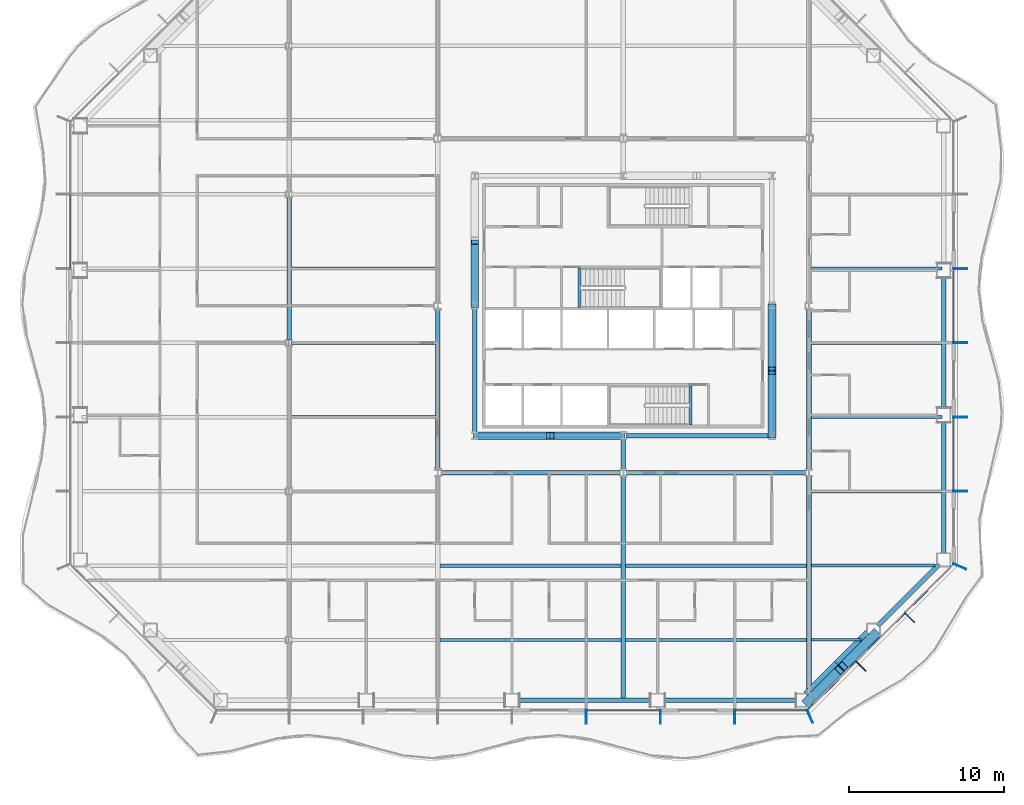
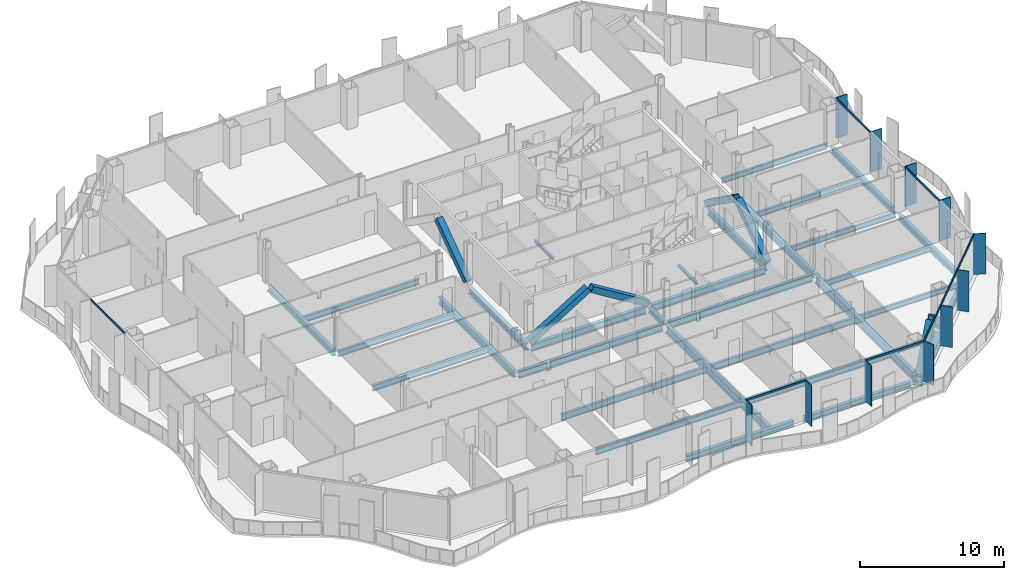
# One storey, part 2 of 20: 34 beams, 26 members, 4 elements without a shape of their own.
"""IFC4 building model written with IfcOpenShell, lengths in metres."""

import ifcopenshell
import ifcopenshell.guid

model = None  # the IFC model being written
_history = None  # IfcOwnerHistory: only IFC2X3 demands one
_inside = {}  # id of a spatial element -> (the spatial element, [elements in it])
_under = {}  # id of a project, library or spatial element -> (it, [spatial elements below it])
_declared = {}  # id of a project -> (the project, [libraries it declares])
_typed = {}  # id of a type object -> (the type object, [elements of that type])
_made_of = {}  # id of a material, layer set ... -> (it, [elements and type objects made of it])


def new_model(schema):
    """Start an empty IFC model of exactly this schema.

    Asked for "IFC4X3", IfcOpenShell would pick the latest addendum, in which some entities
    have other attributes; the version numbers below select the first issue.
    IFC2X3 requires an IfcOwnerHistory on every rooted entity: one is made here for all.
    """
    global model, _history
    if schema == "IFC4X3":
        model = ifcopenshell.file(schema_version=(4, 3, 0, 0))
    else:
        model = ifcopenshell.file(schema=schema)
    _inside.clear()
    _under.clear()
    _declared.clear()
    _typed.clear()
    _made_of.clear()
    _history = None
    if model.schema == "IFC2X3":
        org = make("IfcOrganization", Name="unknown")
        user = make(
            "IfcPersonAndOrganization",
            ThePerson=make("IfcPerson", FamilyName="unknown"),
            TheOrganization=org,
        )
        app = make(
            "IfcApplication",
            ApplicationDeveloper=org,
            Version="unknown",
            ApplicationFullName="unknown",
            ApplicationIdentifier="unknown",
        )
        _history = make(
            "IfcOwnerHistory",
            OwningUser=user,
            OwningApplication=app,
            ChangeAction="ADDED",
            CreationDate=0,
        )
    return model


def make(cls, **values):
    """One entity of the class cls with the attributes given. An attribute that is None is left unset."""
    return model.create_entity(
        cls, **{name: value for name, value in values.items() if value is not None}
    )


def rooted(cls, **values):
    """An entity with a GlobalId (a new one), such as an element, a storey or a relation."""
    return make(cls, GlobalId=ifcopenshell.guid.new(), OwnerHistory=_history, **values)


def si_unit(unit_type, name, prefix=None):
    """IfcSIUnit, for example si_unit("LENGTHUNIT", "METRE", prefix="MILLI")."""
    return make("IfcSIUnit", UnitType=unit_type, Prefix=prefix, Name=name)


def assignment(units):
    """IfcUnitAssignment: the units of a project."""
    return None if units is None else make("IfcUnitAssignment", Units=units)


def point(xyz):
    """IfcCartesianPoint."""
    return None if xyz is None else make("IfcCartesianPoint", Coordinates=xyz)


def direction(xyz):
    """IfcDirection."""
    return None if xyz is None else make("IfcDirection", DirectionRatios=xyz)


def frame(location, z_axis=None, x_axis=None):
    """IfcAxis2Placement3D, a coordinate frame: its origin and axes. An axis left out is left unset."""
    return make(
        "IfcAxis2Placement3D",
        Location=point(location),
        Axis=direction(z_axis),
        RefDirection=direction(x_axis),
    )


def frame_2d(location, x_axis=None):
    """IfcAxis2Placement2D, a coordinate frame in the plane: its origin and x axis."""
    return make(
        "IfcAxis2Placement2D", Location=point(location), RefDirection=direction(x_axis)
    )


def origin():
    """The frame at (0, 0, 0) with its axes left unset."""
    return frame((0.0, 0.0, 0.0))


def origin_2d():
    """The frame at (0, 0) in the plane with its x axis left unset."""
    return frame_2d((0.0, 0.0))


def place(relative_to, where):
    """IfcLocalPlacement: puts the frame where relative to a parent placement (None: the world)."""
    return make(
        "IfcLocalPlacement", PlacementRelTo=relative_to, RelativePlacement=where
    )


def context(
    kind, dimensions, precision=None, world=None, true_north=None, identifier=None
):
    """IfcGeometricRepresentationContext, for example the 3D "Model" context."""
    return make(
        "IfcGeometricRepresentationContext",
        ContextIdentifier=identifier,
        ContextType=kind,
        CoordinateSpaceDimension=dimensions,
        Precision=precision,
        WorldCoordinateSystem=world,
        TrueNorth=true_north,
    )


def subcontext(parent, identifier, kind, view, scale=None):
    """IfcGeometricRepresentationSubContext, for example "Body" below "Model"."""
    return make(
        "IfcGeometricRepresentationSubContext",
        ContextIdentifier=identifier,
        ContextType=kind,
        ParentContext=parent,
        TargetScale=scale,
        TargetView=view,
    )


def project(units=None, contexts=None):
    """IfcProject with its units and contexts."""
    return rooted(
        "IfcProject",
        Name="project",
        RepresentationContexts=contexts,
        UnitsInContext=assignment(units),
    )


def spatial(cls, under=None, at=None, **own):
    """A site, building, storey or space (cls), placed at a placement, below another one or the project."""
    s = rooted(cls, ObjectPlacement=at, **own)
    if under is not None:
        _under.setdefault(under.id(), (under, []))[1].append(s)
    return s


def profile(cls, at=None, kind="AREA", **sizes):
    """A parametric profile (cls). Its sizes go by their IFC names, for example OverallWidth=200.0."""
    return make(cls, ProfileType=kind, Position=at, **sizes)


def rectangle(**sizes):
    """IfcRectangleProfileDef."""
    return profile("IfcRectangleProfileDef", **sizes)


def hollow_rectangle(**sizes):
    """IfcRectangleHollowProfileDef."""
    return profile("IfcRectangleHollowProfileDef", **sizes)


def i_section(**sizes):
    """IfcIShapeProfileDef."""
    return profile("IfcIShapeProfileDef", **sizes)


def extrude(swept, where, along, depth):
    """IfcExtrudedAreaSolid: the profile swept, set in the frame where, extruded along a direction by depth."""
    return make(
        "IfcExtrudedAreaSolid",
        SweptArea=swept,
        Position=where,
        ExtrudedDirection=direction(along),
        Depth=depth,
    )


def shape(context_of_items, identifier, shape_type, items):
    """IfcShapeRepresentation: the items that make up one representation, for example the "Body"."""
    return make(
        "IfcShapeRepresentation",
        ContextOfItems=context_of_items,
        RepresentationIdentifier=identifier,
        RepresentationType=shape_type,
        Items=items,
    )


def material(Name=None, Category=None):
    """IfcMaterial."""
    return make("IfcMaterial", Name=Name, Category=Category)


def material_profile(
    of_material, cross_section, Name=None, Category=None, Priority=None
):
    """IfcMaterialProfile: a cross section and its material."""
    return make(
        "IfcMaterialProfile",
        Name=Name,
        Material=of_material,
        Profile=cross_section,
        Priority=Priority,
        Category=Category,
    )


def profile_set(profiles, Name=None, composite=None):
    """IfcMaterialProfileSet."""
    return make(
        "IfcMaterialProfileSet",
        Name=Name,
        MaterialProfiles=profiles,
        CompositeProfile=composite,
    )


def made_of(thing, what):
    """Note that an element or type object is made of a material, layer set ...; save() writes the relation."""
    if what is not None:
        _made_of.setdefault(what.id(), (what, []))[1].append(thing)
    return thing


def type_object(cls, material=None, **own):
    """A type object (cls), such as IfcWallType, which elements share."""
    return made_of(rooted(cls, **own), material)


def element(
    cls,
    number,
    at=None,
    inside=None,
    cuts=None,
    type_object=None,
    material=None,
    context=None,
    identifier="Body",
    shape_type=None,
    held_by="IfcProductDefinitionShape",
    body=None,
    shapes=None,
    **own,
):
    """One element of the class cls, such as IfcWall. Its Tag is "e" and its number.

    at: its placement. inside: the storey or other place that contains it. cuts: it is an
    opening in that element (IfcRelVoidsElement). A single representation is given by context,
    identifier, shape_type and body (its items); several are given by shapes. held_by: the class
    of the entity that holds the representations. save() writes the other relations.
    """
    e = rooted(cls, Tag="e%d" % number, ObjectPlacement=at, **own)
    if body is not None:
        shapes = [shape(context, identifier, shape_type, body)]
    if shapes is not None:
        e.Representation = make(held_by, Representations=shapes)
    if inside is not None:
        _inside.setdefault(inside.id(), (inside, []))[1].append(e)
    if cuts is not None:
        rooted(
            "IfcRelVoidsElement", RelatingBuildingElement=cuts, RelatedOpeningElement=e
        )
    if type_object is not None:
        _typed.setdefault(type_object.id(), (type_object, []))[1].append(e)
    return made_of(e, material)


def aggregate(whole, parts):
    """IfcRelAggregates: a whole, such as a stair, and the parts it consists of."""
    return rooted("IfcRelAggregates", RelatingObject=whole, RelatedObjects=parts)


def save(model, path):
    """Write the relations noted so far, then the file.

    IfcRelAggregates (storeys below a building ...), IfcRelContainedInSpatialStructure (elements
    in a storey), IfcRelDefinesByType, IfcRelAssociatesMaterial and IfcRelDeclares: one each for
    every whole, place, type object, material and project.
    """
    for whole, parts in _under.values():
        aggregate(whole, parts)
    for where, things in _inside.values():
        rooted(
            "IfcRelContainedInSpatialStructure",
            RelatedElements=things,
            RelatingStructure=where,
        )
    for kind, things in _typed.values():
        rooted("IfcRelDefinesByType", RelatedObjects=things, RelatingType=kind)
    for what, things in _made_of.values():
        rooted("IfcRelAssociatesMaterial", RelatedObjects=things, RelatingMaterial=what)
    for by, libraries in _declared.values():
        rooted("IfcRelDeclares", RelatingContext=by, RelatedDefinitions=libraries)
    model.write(path)


model = new_model("IFC4")

# Units and contexts
model_context = context("Model", 3, precision=1e-05, world=origin(), true_north=direction((0.0, 1.0)))
body_context = subcontext(model_context, "Body", "Model", "MODEL_VIEW")
ifc_project = project(units=[si_unit("LENGTHUNIT", "METRE"), si_unit("AREAUNIT", "SQUARE_METRE"), si_unit("VOLUMEUNIT", "CUBIC_METRE"), si_unit("PLANEANGLEUNIT", "RADIAN"), si_unit("MASSUNIT", "GRAM", prefix="KILO")], contexts=[model_context])

# Site, building, storey
site_placement = place(None, origin())
site = spatial("IfcSite", under=ifc_project, at=site_placement, CompositionType="ELEMENT")
building_placement = place(site_placement, origin())
building = spatial("IfcBuilding", under=site, at=building_placement, Name="Cairn Pilgrim Tower", CompositionType="ELEMENT")
storey_placement = place(building_placement, frame((0.0, 0.0, 83.39990234375)))
storey = spatial("IfcBuildingStorey", under=building, at=storey_placement, Name="L19", CompositionType="ELEMENT", Elevation=83.39990234375)

# Members
ifc_material_1 = material(Name="Structural steel S460M", Category="steel")
ifc_material_profile_1 = material_profile(ifc_material_1, hollow_rectangle(XDim=0.5, YDim=0.5, WallThickness=0.030029296875, at=origin_2d()), Name="BOX 500x500x30")
ifc_profile_set_1 = profile_set([ifc_material_profile_1], Name="Structural steel S460M")
member_type_1 = type_object("IfcMemberType", Name="BOX 500x500x30 BRACE", PredefinedType="BRACE", material=ifc_profile_set_1)
member_1_placement = place(storey_placement, frame((-2.356201171875, -6.0, 0.10009765625), z_axis=(0.850990224345, 0.0, 0.525181528683), x_axis=(0.0, 1.0, 0.0)))
element("IfcMember", 1, at=member_1_placement, inside=storey, type_object=member_type_1, Name="KB-1A", PredefinedType="BRACE", context=body_context, shape_type="SweptSolid", body=[
    extrude(hollow_rectangle(XDim=0.5, YDim=0.5, WallThickness=0.030029296875, at=origin_2d()), origin(), (0.0, 0.0, 1.0), 5.5263671875),
])
member_2_placement = place(storey_placement, frame((7.15625, -6.0, 0.10009765625), z_axis=(-0.851007515624, 0.0, 0.525153509321), x_axis=(0.0, -1.0, 0.0)))
element("IfcMember", 2, at=member_2_placement, inside=storey, type_object=member_type_1, Name="KB-1B", PredefinedType="BRACE", context=body_context, shape_type="SweptSolid", body=[
    extrude(hollow_rectangle(XDim=0.5, YDim=0.5, WallThickness=0.030029296875, at=origin_2d()), origin(), (0.0, 0.0, 1.0), 5.37646484375),
])
member_3_placement = place(storey_placement, frame((16.800048828125, -5.956298828125, 0.10009765625), z_axis=(0.0, 0.814198726233, 0.580586284889), x_axis=(-1.0, 0.0, 0.0)))
element("IfcMember", 3, at=member_3_placement, inside=storey, type_object=member_type_1, Name="KB-2A", PredefinedType="BRACE", context=body_context, shape_type="SweptSolid", body=[
    extrude(hollow_rectangle(XDim=0.5, YDim=0.5, WallThickness=0.030029296875, at=origin_2d()), origin(), (0.0, 0.0, 1.0), 4.99658203125),
])
member_4_placement = place(storey_placement, frame((16.800048828125, 2.356201171875, 0.10009765625), z_axis=(0.0, -0.814182254599, 0.580609383576), x_axis=(1.0, 0.0, 0.0)))
element("IfcMember", 4, at=member_4_placement, inside=storey, type_object=member_type_1, Name="KB-2B", PredefinedType="BRACE", context=body_context, shape_type="SweptSolid", body=[
    extrude(hollow_rectangle(XDim=0.5, YDim=0.5, WallThickness=0.030029296875, at=origin_2d()), origin(), (0.0, 0.0, 1.0), 4.996337890625),
])
member_5_placement = place(storey_placement, frame((-2.39990234375, 2.443603515625, 0.10009765625), z_axis=(0.0, 0.814198726233, 0.580586284889), x_axis=(-1.0, 0.0, 0.0)))
element("IfcMember", 5, at=member_5_placement, inside=storey, type_object=member_type_1, Name="KB-4B", PredefinedType="BRACE", context=body_context, shape_type="SweptSolid", body=[
    extrude(hollow_rectangle(XDim=0.5, YDim=0.5, WallThickness=0.030029296875, at=origin_2d()), origin(), (0.0, 0.0, 1.0), 4.99658203125),
])
ifc_material_profile_2 = material_profile(ifc_material_1, hollow_rectangle(XDim=0.60009765625, YDim=0.60009765625, WallThickness=0.034912109375, at=origin_2d()), Name="BOX 600x600x35")
ifc_profile_set_2 = profile_set([ifc_material_profile_2], Name="Structural steel S460M")
member_type_2 = type_object("IfcMemberType", Name="BOX 600x600x35 BRACE", PredefinedType="BRACE", material=ifc_profile_set_2)
for number, where, z_axis, x_axis, name in (
    (6, (19.078125, -23.2236328125, 0.150146484375), (0.528943710525, 0.528943710525, 0.663654354459), (-0.707106781187, 0.707106781187, 0.0), "XB-SE1-SE2-1"),
    (7, (23.4873046875, -18.814697265625, 0.150146484375), (-0.528960912345, -0.52889942671, 0.663675937214), (0.70706568108, -0.707147878904, 0.0), "XB-SE1-SE2-2"),
):
    element("IfcMember", number, at=place(storey_placement, frame(where, z_axis=z_axis, x_axis=x_axis)), inside=storey, type_object=member_type_2, Name=name, PredefinedType="BRACE", context=body_context, shape_type="SweptSolid", body=[
        extrude(hollow_rectangle(XDim=0.60009765625, YDim=0.60009765625, WallThickness=0.034912109375, at=origin_2d()), origin(), (0.0, 0.0, 1.0), 3.970703125),
    ])

# Beams
ifc_material_2 = material(Name="Structural steel S355J2", Category="steel")
ifc_material_profile_3 = material_profile(ifc_material_2, hollow_rectangle(XDim=0.699951171875, YDim=0.800048828125, WallThickness=0.0400390625, at=origin_2d()), Name="BOX 700x800x40")
ifc_profile_set_3 = profile_set([ifc_material_profile_3], Name="Structural steel S355J2")
beam_type_1 = type_object("IfcBeamType", Name="BOX 700x800x40 RING GIRDER", PredefinedType="SPANDREL", material=ifc_profile_set_3)
beam_1_placement = place(storey_placement, frame((19.113525390625, -22.813720703125, -0.5498046875), z_axis=(0.707106781187, 0.707106781187, 0.0), x_axis=(-0.707106781187, 0.707106781187, 0.0)))
element("IfcBeam", 8, at=beam_1_placement, inside=storey, type_object=beam_type_1, Name="RG1-SE1-SE2-1", PredefinedType="SPANDREL", context=body_context, shape_type="SweptSolid", body=[
    extrude(hollow_rectangle(XDim=0.699951171875, YDim=0.800048828125, WallThickness=0.0400390625, at=origin_2d()), origin(), (0.0, 0.0, 1.0), 2.802978515625),
])
beam_2_placement = place(storey_placement, frame((21.095458984375, -20.831787109375, -0.5498046875), z_axis=(0.707106781187, 0.707106781187, 0.0), x_axis=(-0.707106781187, 0.707106781187, 0.0)))
element("IfcBeam", 9, at=beam_2_placement, inside=storey, type_object=beam_type_1, Name="RG1-SE1-SE2-2", PredefinedType="SPANDREL", context=body_context, shape_type="SweptSolid", body=[
    extrude(hollow_rectangle(XDim=0.699951171875, YDim=0.800048828125, WallThickness=0.0400390625, at=origin_2d()), origin(), (0.0, 0.0, 1.0), 2.802490234375),
])

# Curtain wall, members
ifc_material_3 = material(Name="Aluminium alloy 6063-T6 bronze anodised with Bronze tinted laminated low-E glass 8+16+8.8", Category="aluminium")
curtain_wall_type_1 = type_object("IfcCurtainWallType", Name="TOWER STICK CURTAIN WALL NS", PredefinedType="NOTDEFINED", material=ifc_material_3)
curtain_wall_1_placement = place(storey_placement, origin())
curtain_wall_1 = element("IfcCurtainWall", 10, at=curtain_wall_1_placement, inside=storey, type_object=curtain_wall_type_1, Name="Tower Stick Curtain Wall Ns S", PredefinedType="NOTDEFINED")
ifc_material_4 = material(Name="Aluminium alloy 6063-T6 bronze anodised", Category="aluminium")
ifc_material_profile_4 = material_profile(ifc_material_4, rectangle(XDim=0.89990234375, YDim=0.06005859375, at=origin_2d()), Name="FIN MULLION 60x900 BRONZE")
ifc_profile_set_4 = profile_set([ifc_material_profile_4], Name="Aluminium alloy 6063-T6 bronze anodised")
member_type_3 = type_object("IfcMemberType", Name="FIN MULLION 60x900 BRONZE", PredefinedType="MULLION", material=ifc_profile_set_4)
member_6_placement = place(storey_placement, frame((4.800048828125, -24.169921875, 0.0), z_axis=(0.0, 0.0, 1.0), x_axis=(0.0, -1.0, 0.0)))
member_6 = element("IfcMember", 11, at=member_6_placement, type_object=member_type_3, Name="Fin mullion S6", PredefinedType="MULLION", context=body_context, shape_type="SweptSolid", body=[
    extrude(rectangle(XDim=0.89990234375, YDim=0.06005859375, at=origin_2d()), origin(), (0.0, 0.0, 1.0), 3.4501953125),
])
member_7_placement = place(storey_placement, frame((9.60009765625, -24.169921875, 0.0), z_axis=(0.0, 0.0, 1.0), x_axis=(0.0, -1.0, 0.0)))
member_7 = element("IfcMember", 12, at=member_7_placement, type_object=member_type_3, Name="Fin mullion S7", PredefinedType="MULLION", context=body_context, shape_type="SweptSolid", body=[
    extrude(rectangle(XDim=0.89990234375, YDim=0.06005859375, at=origin_2d()), origin(), (0.0, 0.0, 1.0), 3.4501953125),
])
member_8_placement = place(storey_placement, frame((14.39990234375, -24.169921875, 0.0), z_axis=(0.0, 0.0, 1.0), x_axis=(0.0, -1.0, 0.0)))
member_8 = element("IfcMember", 13, at=member_8_placement, type_object=member_type_3, Name="Fin mullion S8", PredefinedType="MULLION", context=body_context, shape_type="SweptSolid", body=[
    extrude(rectangle(XDim=0.89990234375, YDim=0.06005859375, at=origin_2d()), origin(), (0.0, 0.0, 1.0), 3.4501953125),
])

curtain_wall_type_2 = type_object("IfcCurtainWallType", Name="CHAMFER CORNER CURTAIN WALL", PredefinedType="NOTDEFINED", material=ifc_material_3)
curtain_wall_2_placement = place(storey_placement, origin())
curtain_wall_2 = element("IfcCurtainWall", 14, at=curtain_wall_2_placement, inside=storey, type_object=curtain_wall_type_2, Name="Chamfer Corner Curtain Wall SE", PredefinedType="NOTDEFINED")
member_9_placement = place(storey_placement, frame((19.257080078125, -24.137939453125, 0.0), z_axis=(0.0, 0.0, 1.0), x_axis=(0.382683432365, -0.923879532511, 0.0)))
member_9 = element("IfcMember", 15, at=member_9_placement, type_object=member_type_3, Name="Fin mullion SE1", PredefinedType="MULLION", context=body_context, shape_type="SweptSolid", body=[
    extrude(rectangle(XDim=0.89990234375, YDim=0.06005859375, at=origin_2d()), origin(), (0.0, 0.0, 1.0), 3.4501953125),
])
member_10_placement = place(storey_placement, frame((22.544677734375, -20.895751953125, 0.0), z_axis=(0.0, 0.0, 1.0), x_axis=(0.707106781187, -0.707106781187, 0.0)))
member_10 = element("IfcMember", 16, at=member_10_placement, type_object=member_type_3, Name="Fin mullion SE2", PredefinedType="MULLION", context=body_context, shape_type="SweptSolid", body=[
    extrude(rectangle(XDim=0.89990234375, YDim=0.06005859375, at=origin_2d()), origin(), (0.0, 0.0, 1.0), 3.4501953125),
])
member_11_placement = place(storey_placement, frame((25.69580078125, -17.74462890625, 0.0), z_axis=(0.0, 0.0, 1.0), x_axis=(0.707106781187, -0.707106781187, 0.0)))
member_11 = element("IfcMember", 17, at=member_11_placement, type_object=member_type_3, Name="Fin mullion SE3", PredefinedType="MULLION", context=body_context, shape_type="SweptSolid", body=[
    extrude(rectangle(XDim=0.89990234375, YDim=0.06005859375, at=origin_2d()), origin(), (0.0, 0.0, 1.0), 3.4501953125),
])

curtain_wall_type_3 = type_object("IfcCurtainWallType", Name="TOWER STICK CURTAIN WALL EW", PredefinedType="NOTDEFINED", material=ifc_material_3)
curtain_wall_3_placement = place(storey_placement, origin())
curtain_wall_3 = element("IfcCurtainWall", 18, at=curtain_wall_3_placement, inside=storey, type_object=curtain_wall_type_3, Name="Tower Stick Curtain Wall Ew E", PredefinedType="NOTDEFINED")
member_12_placement = place(storey_placement, frame((28.93798828125, -14.457275390625, 0.0), z_axis=(0.0, 0.0, 1.0), x_axis=(0.923879532511, -0.382683432365, 0.0)))
member_12 = element("IfcMember", 19, at=member_12_placement, type_object=member_type_3, Name="Fin mullion E1", PredefinedType="MULLION", context=body_context, shape_type="SweptSolid", body=[
    extrude(rectangle(XDim=0.89990234375, YDim=0.06005859375, at=origin_2d()), origin(), (0.0, 0.0, 1.0), 3.4501953125),
])
member_13_placement = place(storey_placement, frame((28.969970703125, -9.60009765625, 0.0), z_axis=(0.0, 0.0, 1.0), x_axis=(1.0, 0.0, 0.0)))
member_13 = element("IfcMember", 20, at=member_13_placement, type_object=member_type_3, Name="Fin mullion E2", PredefinedType="MULLION", context=body_context, shape_type="SweptSolid", body=[
    extrude(rectangle(XDim=0.89990234375, YDim=0.06005859375, at=origin_2d()), origin(), (0.0, 0.0, 1.0), 3.4501953125),
])
member_14_placement = place(storey_placement, frame((28.969970703125, -4.800048828125, 0.0), z_axis=(0.0, 0.0, 1.0), x_axis=(1.0, 0.0, 0.0)))
member_14 = element("IfcMember", 21, at=member_14_placement, type_object=member_type_3, Name="Fin mullion E3", PredefinedType="MULLION", context=body_context, shape_type="SweptSolid", body=[
    extrude(rectangle(XDim=0.89990234375, YDim=0.06005859375, at=origin_2d()), origin(), (0.0, 0.0, 1.0), 3.4501953125),
])
member_15_placement = place(storey_placement, frame((28.969970703125, 0.0, 0.0), z_axis=(0.0, 0.0, 1.0), x_axis=(1.0, 0.0, 0.0)))
member_15 = element("IfcMember", 22, at=member_15_placement, type_object=member_type_3, Name="Fin mullion E4", PredefinedType="MULLION", context=body_context, shape_type="SweptSolid", body=[
    extrude(rectangle(XDim=0.89990234375, YDim=0.06005859375, at=origin_2d()), origin(), (0.0, 0.0, 1.0), 3.4501953125),
])
member_16_placement = place(storey_placement, frame((28.969970703125, 4.800048828125, 0.0), z_axis=(0.0, 0.0, 1.0), x_axis=(1.0, 0.0, 0.0)))
member_16 = element("IfcMember", 23, at=member_16_placement, type_object=member_type_3, Name="Fin mullion E5", PredefinedType="MULLION", context=body_context, shape_type="SweptSolid", body=[
    extrude(rectangle(XDim=0.89990234375, YDim=0.06005859375, at=origin_2d()), origin(), (0.0, 0.0, 1.0), 3.4501953125),
])

# Beams
ifc_material_profile_5 = material_profile(ifc_material_2, i_section(OverallWidth=0.300048828125, OverallDepth=0.39990234375, WebThickness=0.013427734375, FlangeThickness=0.02392578125, FilletRadius=0.027099609375, at=origin_2d()), Name="HEB 400")
ifc_profile_set_5 = profile_set([ifc_material_profile_5], Name="Structural steel S355J2")
beam_type_2 = type_object("IfcBeamType", Name="HEB 400 GIRDER", PredefinedType="BEAM", material=ifc_profile_set_5)
beam_3_placement = place(storey_placement, frame((7.199951171875, -8.18798828125, -0.349853515625), z_axis=(0.0, 1.0, 0.0), x_axis=(-1.0, 0.0, 0.0)))
element("IfcBeam", 24, at=beam_3_placement, inside=storey, type_object=beam_type_2, Name="PG3-E1", PredefinedType="BEAM", context=body_context, shape_type="SweptSolid", body=[
    extrude(i_section(OverallWidth=0.300048828125, OverallDepth=0.39990234375, WebThickness=0.013427734375, FlangeThickness=0.02392578125, FilletRadius=0.027099609375, at=origin_2d()), origin(), (0.0, 0.0, 1.0), 1.969482421875),
])
ifc_material_profile_6 = material_profile(ifc_material_2, i_section(OverallWidth=0.300048828125, OverallDepth=0.5, WebThickness=0.014404296875, FlangeThickness=0.028076171875, FilletRadius=0.027099609375, at=origin_2d()), Name="HEB 500")
ifc_profile_set_6 = profile_set([ifc_material_profile_6], Name="Structural steel S355J2")
beam_type_3 = type_object("IfcBeamType", Name="HEB 500 GIRDER", PredefinedType="BEAM", material=ifc_profile_set_6)
beam_4_placement = place(storey_placement, frame((-14.39990234375, 0.20458984375, -0.39990234375), z_axis=(0.0, 1.0, 0.0), x_axis=(-1.0, 0.0, 0.0)))
element("IfcBeam", 25, at=beam_4_placement, inside=storey, type_object=beam_type_3, Name="PG1-4", PredefinedType="BEAM", context=body_context, shape_type="SweptSolid", body=[
    extrude(i_section(OverallWidth=0.300048828125, OverallDepth=0.5, WebThickness=0.014404296875, FlangeThickness=0.028076171875, FilletRadius=0.027099609375, at=origin_2d()), origin(), (0.0, 0.0, 1.0), 9.19091796875),
])
ifc_material_profile_7 = material_profile(ifc_material_2, i_section(OverallWidth=0.300048828125, OverallDepth=0.5, WebThickness=0.014404296875, FlangeThickness=0.028076171875, FilletRadius=0.027099609375, at=origin_2d()), Name="HEB 500")
ifc_profile_set_7 = profile_set([ifc_material_profile_7], Name="Structural steel S355J2")
beam_type_4 = type_object("IfcBeamType", Name="HEB 500 RING GIRDER", PredefinedType="SPANDREL", material=ifc_profile_set_7)
for number, where, z_axis, x_axis, name in (
    (26, (0.405029296875, -23.10009765625, -0.39990234375), (1.0, 0.0, 0.0), (0.0, 1.0, 0.0), "RG1-S3-S4"),
    (27, (9.818603515625, -23.10009765625, -0.39990234375), (1.0, 0.0, 0.0), (0.0, 1.0, 0.0), "RG1-S4-SE1"),
):
    element("IfcBeam", number, at=place(storey_placement, frame(where, z_axis=z_axis, x_axis=x_axis)), inside=storey, type_object=beam_type_4, Name=name, PredefinedType="SPANDREL", context=body_context, shape_type="SweptSolid", body=[
        extrude(i_section(OverallWidth=0.300048828125, OverallDepth=0.5, WebThickness=0.014404296875, FlangeThickness=0.028076171875, FilletRadius=0.027099609375, at=origin_2d()), origin(), (0.0, 0.0, 1.0), 8.603515625),
    ])
beam_5_placement = place(storey_placement, frame((23.64990234375, -18.277099609375, -0.39990234375), z_axis=(0.707128558756, 0.707085002947, 0.0), x_axis=(-0.707085002947, 0.707128558756, 0.0)))
element("IfcBeam", 28, at=beam_5_placement, inside=storey, type_object=beam_type_4, Name="RG1-SE2-E1", PredefinedType="SPANDREL", context=body_context, shape_type="SweptSolid", body=[
    extrude(i_section(OverallWidth=0.300048828125, OverallDepth=0.5, WebThickness=0.014404296875, FlangeThickness=0.028076171875, FilletRadius=0.027099609375, at=origin_2d()), origin(), (0.0, 0.0, 1.0), 5.605224609375),
])
for number, where, z_axis, x_axis, name in (
    (29, (27.89990234375, -13.622314453125, -0.39990234375), (0.0, 1.0, 0.0), (-1.0, 0.0, 0.0), "RG1-E1-E2"),
    (30, (27.89990234375, -4.270751953125, -0.39990234375), (0.0, 1.0, 0.0), (-1.0, 0.0, 0.0), "RG1-E2-E3"),
):
    element("IfcBeam", number, at=place(storey_placement, frame(where, z_axis=z_axis, x_axis=x_axis)), inside=storey, type_object=beam_type_4, Name=name, PredefinedType="SPANDREL", context=body_context, shape_type="SweptSolid", body=[
        extrude(i_section(OverallWidth=0.300048828125, OverallDepth=0.5, WebThickness=0.014404296875, FlangeThickness=0.028076171875, FilletRadius=0.027099609375, at=origin_2d()), origin(), (0.0, 0.0, 1.0), 8.54150390625),
    ])
ifc_material_profile_8 = material_profile(ifc_material_2, i_section(OverallWidth=0.300048828125, OverallDepth=0.60009765625, WebThickness=0.015380859375, FlangeThickness=0.030029296875, FilletRadius=0.027099609375, at=origin_2d()), Name="HEB 600")
ifc_profile_set_8 = profile_set([ifc_material_profile_8], Name="Structural steel S355J2")
beam_type_5 = type_object("IfcBeamType", Name="HEB 600 CORE BEAM", PredefinedType="BEAM", material=ifc_profile_set_8)
beam_6_placement = place(storey_placement, frame((-2.203369140625, -6.0, -0.449951171875), z_axis=(1.0, 0.0, 0.0), x_axis=(0.0, 1.0, 0.0)))
element("IfcBeam", 31, at=beam_6_placement, inside=storey, type_object=beam_type_5, Name="CB-1", PredefinedType="BEAM", context=body_context, shape_type="SweptSolid", body=[
    extrude(i_section(OverallWidth=0.300048828125, OverallDepth=0.60009765625, WebThickness=0.015380859375, FlangeThickness=0.030029296875, FilletRadius=0.027099609375, at=origin_2d()), origin(), (0.0, 0.0, 1.0), 9.206787109375),
])
beam_7_placement = place(storey_placement, frame((7.396728515625, -6.0, -0.449951171875), z_axis=(1.0, 0.0, 0.0), x_axis=(0.0, 1.0, 0.0)))
element("IfcBeam", 32, at=beam_7_placement, inside=storey, type_object=beam_type_5, Name="CB-2", PredefinedType="BEAM", context=body_context, shape_type="SweptSolid", body=[
    extrude(i_section(OverallWidth=0.300048828125, OverallDepth=0.60009765625, WebThickness=0.015380859375, FlangeThickness=0.030029296875, FilletRadius=0.027099609375, at=origin_2d()), origin(), (0.0, 0.0, 1.0), 9.20654296875),
])
for number, where, z_axis, x_axis, name in (
    (33, (16.800048828125, -5.803466796875, -0.449951171875), (0.0, 1.0, 0.0), (-1.0, 0.0, 0.0), "CB-3"),
    (34, (-2.39990234375, 2.203369140625, -0.449951171875), (0.0, -1.0, 0.0), (1.0, 0.0, 0.0), "CB-8"),
):
    element("IfcBeam", number, at=place(storey_placement, frame(where, z_axis=z_axis, x_axis=x_axis)), inside=storey, type_object=beam_type_5, Name=name, PredefinedType="BEAM", context=body_context, shape_type="SweptSolid", body=[
        extrude(i_section(OverallWidth=0.300048828125, OverallDepth=0.60009765625, WebThickness=0.015380859375, FlangeThickness=0.030029296875, FilletRadius=0.027099609375, at=origin_2d()), origin(), (0.0, 0.0, 1.0), 8.0068359375),
    ])
ifc_material_profile_9 = material_profile(ifc_material_2, i_section(OverallWidth=0.300048828125, OverallDepth=0.60009765625, WebThickness=0.015380859375, FlangeThickness=0.030029296875, FilletRadius=0.027099609375, at=origin_2d()), Name="HEB 600")
ifc_profile_set_9 = profile_set([ifc_material_profile_9], Name="Structural steel S355J2")
beam_type_6 = type_object("IfcBeamType", Name="HEB 600 GIRDER", PredefinedType="BEAM", material=ifc_profile_set_9)
for number, where, z_axis, x_axis, name in (
    (35, (-4.800048828125, -8.18798828125, -0.449951171875), (0.0, 1.0, 0.0), (-1.0, 0.0, 0.0), "PG2-2"),
    (36, (19.199951171875, -8.18798828125, -0.449951171875), (0.0, 1.0, 0.0), (-1.0, 0.0, 0.0), "PG4-2"),
):
    element("IfcBeam", number, at=place(storey_placement, frame(where, z_axis=z_axis, x_axis=x_axis)), inside=storey, type_object=beam_type_6, Name=name, PredefinedType="BEAM", context=body_context, shape_type="SweptSolid", body=[
        extrude(i_section(OverallWidth=0.300048828125, OverallDepth=0.60009765625, WebThickness=0.015380859375, FlangeThickness=0.030029296875, FilletRadius=0.027099609375, at=origin_2d()), origin(), (0.0, 0.0, 1.0), 10.3759765625),
    ])
ifc_material_profile_10 = material_profile(ifc_material_2, i_section(OverallWidth=0.300048828125, OverallDepth=0.60009765625, WebThickness=0.015380859375, FlangeThickness=0.030029296875, FilletRadius=0.027099609375, at=origin_2d()), Name="HEB 600")
ifc_profile_set_10 = profile_set([ifc_material_profile_10], Name="Structural steel S355J2")
beam_type_7 = type_object("IfcBeamType", Name="HEB 600 INNER GIRDER", PredefinedType="BEAM", material=ifc_profile_set_10)
for number, where, z_axis, x_axis, name in (
    (37, (-4.587890625, -8.39990234375, -0.449951171875), (1.0, 0.0, 0.0), (0.0, 1.0, 0.0), "IG1-1"),
    (38, (7.412109375, -8.39990234375, -0.449951171875), (1.0, 0.0, 0.0), (0.0, 1.0, 0.0), "IG1-2"),
):
    element("IfcBeam", number, at=place(storey_placement, frame(where, z_axis=z_axis, x_axis=x_axis)), inside=storey, type_object=beam_type_7, Name=name, PredefinedType="BEAM", context=body_context, shape_type="SweptSolid", body=[
        extrude(i_section(OverallWidth=0.300048828125, OverallDepth=0.60009765625, WebThickness=0.015380859375, FlangeThickness=0.030029296875, FilletRadius=0.027099609375, at=origin_2d()), origin(), (0.0, 0.0, 1.0), 11.575927734375),
    ])
ifc_material_profile_11 = material_profile(ifc_material_2, i_section(OverallWidth=0.300048828125, OverallDepth=0.699951171875, WebThickness=0.01708984375, FlangeThickness=0.031982421875, FilletRadius=0.027099609375, at=origin_2d()), Name="HEB 700")
ifc_profile_set_11 = profile_set([ifc_material_profile_11], Name="Structural steel S355J2")
beam_type_8 = type_object("IfcBeamType", Name="HEB 700 GIRDER", PredefinedType="BEAM", material=ifc_profile_set_11)
beam_8_placement = place(storey_placement, frame((7.199951171875, -22.97998046875, -0.5), z_axis=(0.0, 1.0, 0.0), x_axis=(-1.0, 0.0, 0.0)))
element("IfcBeam", 39, at=beam_8_placement, inside=storey, type_object=beam_type_8, Name="PG3-1", PredefinedType="BEAM", context=body_context, shape_type="SweptSolid", body=[
    extrude(i_section(OverallWidth=0.300048828125, OverallDepth=0.699951171875, WebThickness=0.01708984375, FlangeThickness=0.031982421875, FilletRadius=0.027099609375, at=origin_2d()), origin(), (0.0, 0.0, 1.0), 14.367919921875),
])
beam_9_placement = place(storey_placement, frame((19.199951171875, -22.545166015625, -0.5), z_axis=(0.0, 1.0, 0.0), x_axis=(-1.0, 0.0, 0.0)))
element("IfcBeam", 40, at=beam_9_placement, inside=storey, type_object=beam_type_8, Name="PG4-1", PredefinedType="BEAM", context=body_context, shape_type="SweptSolid", body=[
    extrude(i_section(OverallWidth=0.300048828125, OverallDepth=0.699951171875, WebThickness=0.01708984375, FlangeThickness=0.031982421875, FilletRadius=0.027099609375, at=origin_2d()), origin(), (0.0, 0.0, 1.0), 13.93310546875),
])
ifc_material_profile_12 = material_profile(ifc_material_2, i_section(OverallWidth=0.169921875, OverallDepth=0.360107421875, WebThickness=0.008056640625, FlangeThickness=0.0126953125, FilletRadius=0.01806640625, at=origin_2d()), Name="IPE 360")
ifc_profile_set_12 = profile_set([ifc_material_profile_12], Name="Structural steel S355J2")
beam_type_9 = type_object("IfcBeamType", Name="IPE 360 SECONDARY BEAM", PredefinedType="JOIST", material=ifc_profile_set_12)
beam_10_placement = place(storey_placement, frame((19.35009765625, -19.199951171875, -0.329833984375), z_axis=(1.0, 0.0, 0.0), x_axis=(0.0, 1.0, 0.0)))
element("IfcBeam", 41, at=beam_10_placement, inside=storey, type_object=beam_type_9, Name="SB1-5", PredefinedType="JOIST", context=body_context, shape_type="SweptSolid", body=[
    extrude(i_section(OverallWidth=0.169921875, OverallDepth=0.360107421875, WebThickness=0.008056640625, FlangeThickness=0.0126953125, FilletRadius=0.01806640625, at=origin_2d()), origin(), (0.0, 0.0, 1.0), 3.195068359375),
])
ifc_material_profile_13 = material_profile(ifc_material_2, i_section(OverallWidth=0.18994140625, OverallDepth=0.449951171875, WebThickness=0.009521484375, FlangeThickness=0.0146484375, FilletRadius=0.02099609375, at=origin_2d()), Name="IPE 450")
ifc_profile_set_13 = profile_set([ifc_material_profile_13], Name="Structural steel S355J2")
beam_type_10 = type_object("IfcBeamType", Name="IPE 450 SECONDARY BEAM", PredefinedType="JOIST", material=ifc_profile_set_13)
beam_11_placement = place(storey_placement, frame((19.35009765625, -14.39990234375, -0.375), z_axis=(1.0, 0.0, 0.0), x_axis=(0.0, 1.0, 0.0)))
element("IfcBeam", 42, at=beam_11_placement, inside=storey, type_object=beam_type_10, Name="SB2-5", PredefinedType="JOIST", context=body_context, shape_type="SweptSolid", body=[
    extrude(i_section(OverallWidth=0.18994140625, OverallDepth=0.449951171875, WebThickness=0.009521484375, FlangeThickness=0.0146484375, FilletRadius=0.02099609375, at=origin_2d()), origin(), (0.0, 0.0, 1.0), 7.9951171875),
])
for number, where, z_axis, x_axis, name in (
    (43, (19.35009765625, -9.60009765625, -0.375), (1.0, 0.0, 0.0), (0.0, 1.0, 0.0), "SB3-3"),
    (44, (19.35009765625, -4.800048828125, -0.375), (1.0, 0.0, 0.0), (0.0, 1.0, 0.0), "SB4-3"),
    (45, (19.35009765625, 0.0, -0.375), (1.0, 0.0, 0.0), (0.0, 1.0, 0.0), "SB5-3"),
    (46, (19.35009765625, 4.800048828125, -0.375), (1.0, 0.0, 0.0), (0.0, 1.0, 0.0), "SB6-3"),
):
    element("IfcBeam", number, at=place(storey_placement, frame(where, z_axis=z_axis, x_axis=x_axis)), inside=storey, type_object=beam_type_10, Name=name, PredefinedType="JOIST", context=body_context, shape_type="SweptSolid", body=[
        extrude(i_section(OverallWidth=0.18994140625, OverallDepth=0.449951171875, WebThickness=0.009521484375, FlangeThickness=0.0146484375, FilletRadius=0.02099609375, at=origin_2d()), origin(), (0.0, 0.0, 1.0), 8.429931640625),
    ])
ifc_material_profile_14 = material_profile(ifc_material_2, i_section(OverallWidth=0.199951171875, OverallDepth=0.5, WebThickness=0.01025390625, FlangeThickness=0.01611328125, FilletRadius=0.02099609375, at=origin_2d()), Name="IPE 500")
ifc_profile_set_14 = profile_set([ifc_material_profile_14], Name="Structural steel S355J2")
beam_type_11 = type_object("IfcBeamType", Name="IPE 500 SECONDARY BEAM", PredefinedType="JOIST", material=ifc_profile_set_14)
for number, where, z_axis, x_axis, name in (
    (47, (-14.25, -4.800048828125, -0.39990234375), (1.0, 0.0, 0.0), (0.0, 1.0, 0.0), "SB4-2"),
    (48, (-14.25, 0.0, -0.39990234375), (1.0, 0.0, 0.0), (0.0, 1.0, 0.0), "SB5-2"),
    (49, (-14.25, 4.800048828125, -0.39990234375), (1.0, 0.0, 0.0), (0.0, 1.0, 0.0), "SB6-2"),
):
    element("IfcBeam", number, at=place(storey_placement, frame(where, z_axis=z_axis, x_axis=x_axis)), inside=storey, type_object=beam_type_11, Name=name, PredefinedType="JOIST", context=body_context, shape_type="SweptSolid", body=[
        extrude(i_section(OverallWidth=0.199951171875, OverallDepth=0.5, WebThickness=0.01025390625, FlangeThickness=0.01611328125, FilletRadius=0.02099609375, at=origin_2d()), origin(), (0.0, 0.0, 1.0), 9.300048828125),
    ])
ifc_material_profile_15 = material_profile(ifc_material_2, i_section(OverallWidth=0.2099609375, OverallDepth=0.550048828125, WebThickness=0.010986328125, FlangeThickness=0.01708984375, FilletRadius=0.02392578125, at=origin_2d()), Name="IPE 550")
ifc_profile_set_15 = profile_set([ifc_material_profile_15], Name="Structural steel S355J2")
beam_type_12 = type_object("IfcBeamType", Name="IPE 550 SECONDARY BEAM", PredefinedType="JOIST", material=ifc_profile_set_15)
for number, where, z_axis, x_axis, name in (
    (50, (-4.64990234375, -19.199951171875, -0.4248046875), (1.0, 0.0, 0.0), (0.0, 1.0, 0.0), "SB1-3"),
    (51, (7.35009765625, -19.199951171875, -0.4248046875), (1.0, 0.0, 0.0), (0.0, 1.0, 0.0), "SB1-4"),
    (52, (-4.64990234375, -14.39990234375, -0.4248046875), (1.0, 0.0, 0.0), (0.0, 1.0, 0.0), "SB2-3"),
    (53, (7.35009765625, -14.39990234375, -0.4248046875), (1.0, 0.0, 0.0), (0.0, 1.0, 0.0), "SB2-4"),
):
    element("IfcBeam", number, at=place(storey_placement, frame(where, z_axis=z_axis, x_axis=x_axis)), inside=storey, type_object=beam_type_12, Name=name, PredefinedType="JOIST", context=body_context, shape_type="SweptSolid", body=[
        extrude(i_section(OverallWidth=0.2099609375, OverallDepth=0.550048828125, WebThickness=0.010986328125, FlangeThickness=0.01708984375, FilletRadius=0.02392578125, at=origin_2d()), origin(), (0.0, 0.0, 1.0), 11.699951171875),
    ])
ifc_material_profile_16 = material_profile(ifc_material_2, i_section(OverallWidth=0.199951171875, OverallDepth=0.199951171875, WebThickness=0.009033203125, FlangeThickness=0.014892578125, FilletRadius=0.01806640625, at=origin_2d()), Name="HE 200 B")
ifc_profile_set_16 = profile_set([ifc_material_profile_16], Name="Structural steel S355J2")
beam_type_13 = type_object("IfcBeamType", Name="STAIR LANDING BEAM HE 200 B", PredefinedType="BEAM", material=ifc_profile_set_16)
beam_12_placement = place(storey_placement, frame((11.5244140625, -2.77490234375, -0.25), z_axis=(0.0, -1.0, 0.0), x_axis=(1.0, 0.0, 0.0)))
element("IfcBeam", 54, at=beam_12_placement, inside=storey, type_object=beam_type_13, Name="STAIR LANDING BEAM LD-HE200B", PredefinedType="BEAM", context=body_context, shape_type="SweptSolid", body=[
    extrude(i_section(OverallWidth=0.199951171875, OverallDepth=0.199951171875, WebThickness=0.009033203125, FlangeThickness=0.014892578125, FilletRadius=0.01806640625, at=origin_2d()), origin(), (0.0, 0.0, 1.0), 2.525146484375),
])
beam_13_placement = place(storey_placement, frame((4.37548828125, 2.27490234375, -0.25), z_axis=(0.0, 1.0, 0.0), x_axis=(-1.0, 0.0, 0.0)))
element("IfcBeam", 55, at=beam_13_placement, inside=storey, type_object=beam_type_13, Name="STAIR LANDING BEAM LD-HE200B", PredefinedType="BEAM", context=body_context, shape_type="SweptSolid", body=[
    extrude(i_section(OverallWidth=0.199951171875, OverallDepth=0.199951171875, WebThickness=0.009033203125, FlangeThickness=0.014892578125, FilletRadius=0.01806640625, at=origin_2d()), origin(), (0.0, 0.0, 1.0), 2.550048828125),
])

# Member
ifc_material_profile_17 = material_profile(ifc_material_4, rectangle(XDim=0.080078125, YDim=0.14990234375, at=origin_2d()), Name="TRANSOM 80x150 BRONZE")
ifc_profile_set_17 = profile_set([ifc_material_profile_17], Name="Aluminium alloy 6063-T6 bronze anodised")
member_type_4 = type_object("IfcMemberType", Name="TRANSOM 80x150 BRONZE", PredefinedType="USERDEFINED", material=ifc_profile_set_17)
member_17_placement = place(storey_placement, frame((4.830078125, -23.75, 3.375), z_axis=(1.0, 0.0, 0.0), x_axis=(0.0, 1.0, 0.0)))
member_17 = element("IfcMember", 56, at=member_17_placement, type_object=member_type_4, Name="Transom S6", ObjectType="TRANSOM", PredefinedType="USERDEFINED", context=body_context, shape_type="SweptSolid", body=[
    extrude(rectangle(XDim=0.080078125, YDim=0.14990234375, at=origin_2d()), origin(), (0.0, 0.0, 1.0), 4.739990234375),
])

member_18_placement = place(storey_placement, frame((14.429931640625, -23.75, 3.375), z_axis=(1.0, 0.0, 0.0), x_axis=(0.0, 1.0, 0.0)))
member_18 = element("IfcMember", 57, at=member_18_placement, type_object=member_type_4, Name="Transom S8", ObjectType="TRANSOM", PredefinedType="USERDEFINED", context=body_context, shape_type="SweptSolid", body=[
    extrude(rectangle(XDim=0.080078125, YDim=0.14990234375, at=origin_2d()), origin(), (0.0, 0.0, 1.0), 4.62646484375),
])

aggregate(curtain_wall_1, [member_6, member_7, member_8, member_17, member_18])

member_19_placement = place(storey_placement, frame((19.124755859375, -23.7216796875, 3.375), z_axis=(0.707106781187, 0.707106781187, 0.0), x_axis=(-0.707106781187, 0.707106781187, 0.0)))
member_19 = element("IfcMember", 58, at=member_19_placement, type_object=member_type_4, Name="Transom SE1", ObjectType="TRANSOM", PredefinedType="USERDEFINED", context=body_context, shape_type="SweptSolid", body=[
    extrude(rectangle(XDim=0.080078125, YDim=0.14990234375, at=origin_2d()), origin(), (0.0, 0.0, 1.0), 4.38623046875),
])

member_20_placement = place(storey_placement, frame((22.268798828125, -20.57763671875, 3.375), z_axis=(0.707106781187, 0.707106781187, 0.0), x_axis=(-0.707106781187, 0.707106781187, 0.0)))
member_20 = element("IfcMember", 59, at=member_20_placement, type_object=member_type_4, Name="Transom SE2", ObjectType="TRANSOM", PredefinedType="USERDEFINED", context=body_context, shape_type="SweptSolid", body=[
    extrude(rectangle(XDim=0.080078125, YDim=0.14990234375, at=origin_2d()), origin(), (0.0, 0.0, 1.0), 4.396728515625),
])

member_21_placement = place(storey_placement, frame((25.419921875, -17.426513671875, 3.375), z_axis=(0.707106781187, 0.707106781187, 0.0), x_axis=(-0.707106781187, 0.707106781187, 0.0)))
member_21 = element("IfcMember", 60, at=member_21_placement, type_object=member_type_4, Name="Transom SE3", ObjectType="TRANSOM", PredefinedType="USERDEFINED", context=body_context, shape_type="SweptSolid", body=[
    extrude(rectangle(XDim=0.080078125, YDim=0.14990234375, at=origin_2d()), origin(), (0.0, 0.0, 1.0), 4.38671875),
])

aggregate(curtain_wall_2, [member_9, member_10, member_11, member_19, member_20, member_21])

member_22_placement = place(storey_placement, frame((28.550048828125, -9.570068359375, 3.375), z_axis=(0.0, 1.0, 0.0), x_axis=(-1.0, 0.0, 0.0)))
member_22 = element("IfcMember", 61, at=member_22_placement, type_object=member_type_4, Name="Transom E2", ObjectType="TRANSOM", PredefinedType="USERDEFINED", context=body_context, shape_type="SweptSolid", body=[
    extrude(rectangle(XDim=0.080078125, YDim=0.14990234375, at=origin_2d()), origin(), (0.0, 0.0, 1.0), 4.739990234375),
])

member_23_placement = place(storey_placement, frame((28.550048828125, 0.030029296875, 3.375), z_axis=(0.0, 1.0, 0.0), x_axis=(-1.0, 0.0, 0.0)))
member_23 = element("IfcMember", 62, at=member_23_placement, type_object=member_type_4, Name="Transom E4", ObjectType="TRANSOM", PredefinedType="USERDEFINED", context=body_context, shape_type="SweptSolid", body=[
    extrude(rectangle(XDim=0.080078125, YDim=0.14990234375, at=origin_2d()), origin(), (0.0, 0.0, 1.0), 4.739990234375),
])

aggregate(curtain_wall_3, [member_12, member_13, member_14, member_15, member_16, member_22, member_23])

# Curtain wall, member
curtain_wall_4_placement = place(storey_placement, origin())
curtain_wall_4 = element("IfcCurtainWall", 63, at=curtain_wall_4_placement, inside=storey, type_object=curtain_wall_type_3, Name="Tower Stick Curtain Wall Ew W", PredefinedType="NOTDEFINED")
member_24_placement = place(storey_placement, frame((-28.550048828125, 9.570068359375, 3.375), z_axis=(0.0, -1.0, 0.0), x_axis=(1.0, 0.0, 0.0)))
member_24 = element("IfcMember", 64, at=member_24_placement, type_object=member_type_4, Name="Transom W2", ObjectType="TRANSOM", PredefinedType="USERDEFINED", context=body_context, shape_type="SweptSolid", body=[
    extrude(rectangle(XDim=0.080078125, YDim=0.14990234375, at=origin_2d()), origin(), (0.0, 0.0, 1.0), 4.739990234375),
])
aggregate(curtain_wall_4, [member_24])

save(model, "model.ifc")
